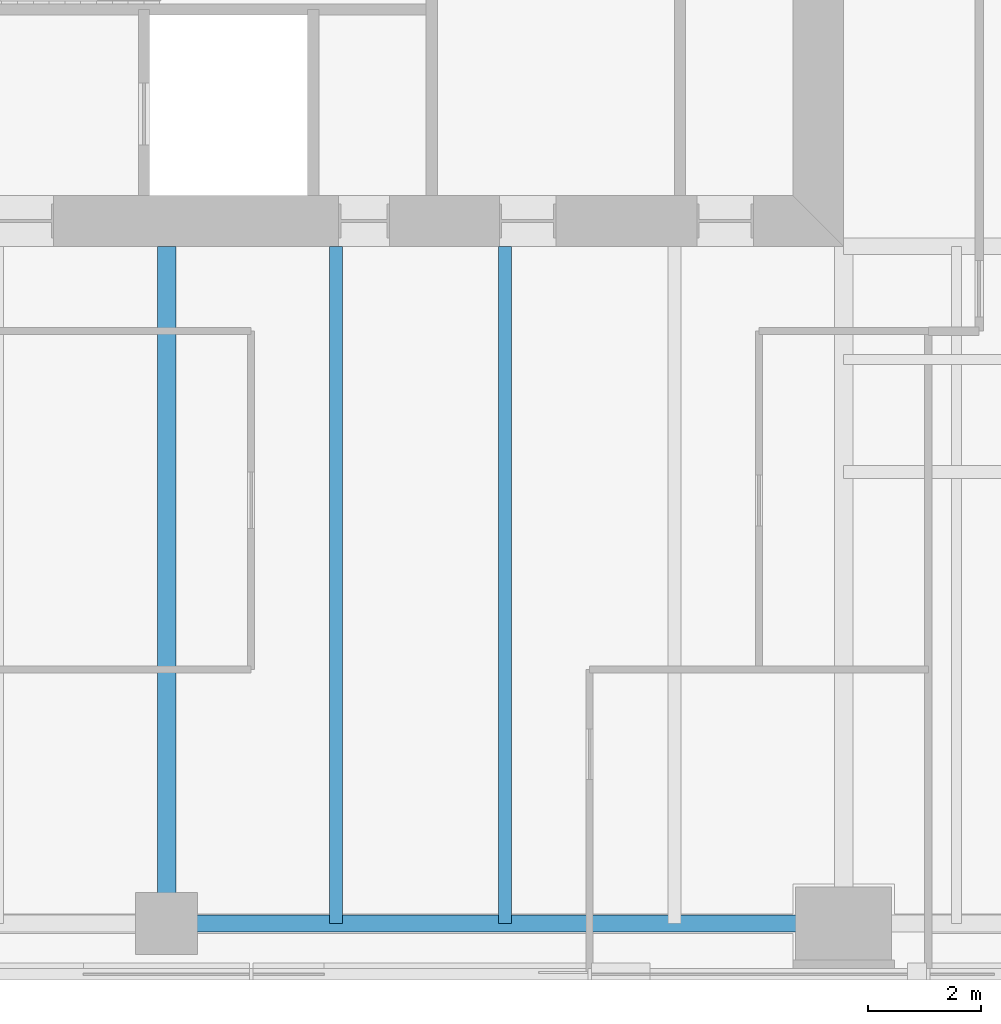
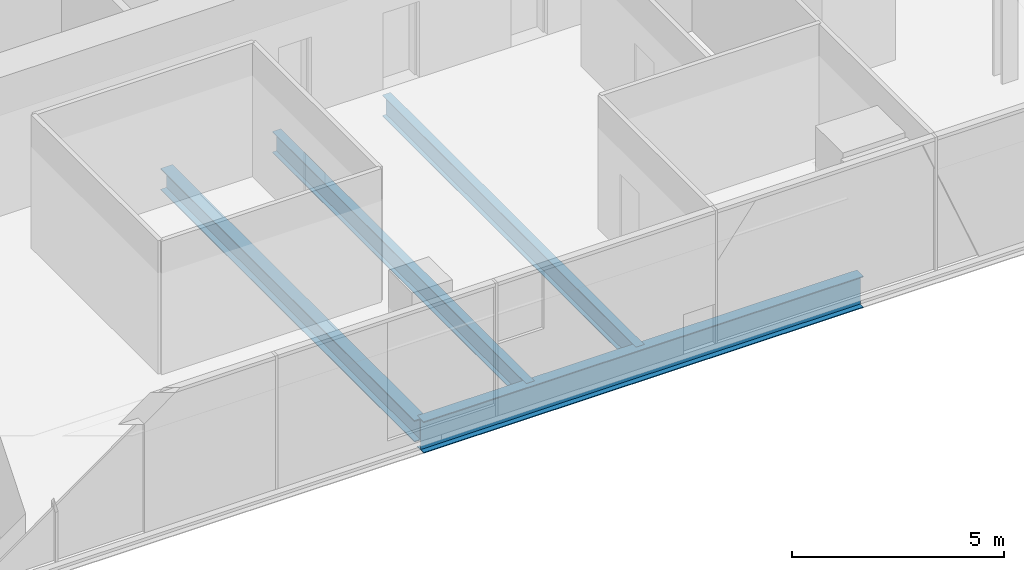
# One storey, part 3 of 14: 4 beams.
"""IFC4 building model written with IfcOpenShell, lengths in metres."""

from ifc_helpers import new_model, si_unit, direction, frame, origin, origin_2d, place, context, subcontext, project, spatial, i_section, extrude, material, material_profile, profile_set, type_object, element, save


model = new_model("IFC4")

# Units and contexts
model_context = context("Model", 3, precision=1e-05, world=origin(), true_north=direction((0.0, 1.0)))
body_context = subcontext(model_context, "Body", "Model", "MODEL_VIEW")
ifc_project = project(units=[si_unit("LENGTHUNIT", "METRE"), si_unit("AREAUNIT", "SQUARE_METRE"), si_unit("VOLUMEUNIT", "CUBIC_METRE"), si_unit("PLANEANGLEUNIT", "RADIAN"), si_unit("MASSUNIT", "GRAM", prefix="KILO")], contexts=[model_context])

# Site, building, storey
site_placement = place(None, origin())
site = spatial("IfcSite", under=ifc_project, at=site_placement, CompositionType="ELEMENT")
building_placement = place(site_placement, origin())
building = spatial("IfcBuilding", under=site, at=building_placement, Name="Fenwick Lantern Interchange", CompositionType="ELEMENT")
storey_placement = place(building_placement, frame((0.0, 0.0, 221.800048828125)))
storey = spatial("IfcBuildingStorey", under=building, at=storey_placement, Name="L52", CompositionType="ELEMENT", Elevation=221.800048828125)

# Beams
ifc_material = material(Name="Steel ASTM A992 Grade 50", Category="steel")
ifc_material_profile_1 = material_profile(ifc_material, i_section(OverallWidth=0.3046875, OverallDepth=0.911865234375, WebThickness=0.015869140625, FlangeThickness=0.02392578125, at=origin_2d()), Name="W36X150")
ifc_profile_set_1 = profile_set([ifc_material_profile_1], Name="Steel ASTM A992 Grade 50")
beam_type_1 = type_object("IfcBeamType", Name="EDGE BEAM W36X150", PredefinedType="SPANDREL", material=ifc_profile_set_1)
beam_1_placement = place(storey_placement, frame((25.0, 1.0, -0.60595703125), z_axis=(1.0, 0.0, 0.0), x_axis=(0.0, 1.0, 0.0)))
element("IfcBeam", 1, at=beam_1_placement, inside=storey, type_object=beam_type_1, Name="L52/FR/S/EB3", PredefinedType="SPANDREL", context=body_context, shape_type="SweptSolid", body=[
    extrude(i_section(OverallWidth=0.3046875, OverallDepth=0.911865234375, WebThickness=0.015869140625, FlangeThickness=0.02392578125, at=origin_2d()), origin(), (0.0, 0.0, 1.0), 12.0),
])
ifc_material_profile_2 = material_profile(ifc_material, i_section(OverallWidth=0.22900390625, OverallDepth=0.612060546875, WebThickness=0.011962890625, FlangeThickness=0.01953125, at=origin_2d()), Name="W24X84")
ifc_profile_set_2 = profile_set([ifc_material_profile_2], Name="Steel ASTM A992 Grade 50")
beam_type_2 = type_object("IfcBeamType", Name="FLOOR BEAM W24X84", PredefinedType="BEAM", material=ifc_profile_set_2)
for number, where, z_axis, x_axis, name in (
    (2, (28.0, 1.0, -0.4560546875), (0.0, 1.0, 0.0), (-1.0, 0.0, 0.0), "L52/FR/S/R06"),
    (3, (31.0, 1.0, -0.4560546875), (0.0, 1.0, 0.0), (-1.0, 0.0, 0.0), "L52/FR/S/R07"),
):
    element("IfcBeam", number, at=place(storey_placement, frame(where, z_axis=z_axis, x_axis=x_axis)), inside=storey, type_object=beam_type_2, Name=name, PredefinedType="BEAM", context=body_context, shape_type="SweptSolid", body=[
        extrude(i_section(OverallWidth=0.22900390625, OverallDepth=0.612060546875, WebThickness=0.011962890625, FlangeThickness=0.01953125, at=origin_2d()), origin(), (0.0, 0.0, 1.0), 12.0),
    ])
ifc_material_profile_3 = material_profile(ifc_material, i_section(OverallWidth=0.32763671875, OverallDepth=0.622314453125, WebThickness=0.015380859375, FlangeThickness=0.0244140625, at=origin_2d()), Name="W24X131")
ifc_profile_set_3 = profile_set([ifc_material_profile_3], Name="Steel ASTM A992 Grade 50")
beam_type_3 = type_object("IfcBeamType", Name="MOMENT-CONNECTED GIRDER W24X131", PredefinedType="BEAM", material=ifc_profile_set_3)
beam_2_placement = place(storey_placement, frame((25.0, 1.0, -0.461181640625), z_axis=(0.0, 1.0, 0.0), x_axis=(-1.0, 0.0, 0.0)))
element("IfcBeam", 4, at=beam_2_placement, inside=storey, type_object=beam_type_3, Name="L52/FR/S/R05", PredefinedType="BEAM", context=body_context, shape_type="SweptSolid", body=[
    extrude(i_section(OverallWidth=0.32763671875, OverallDepth=0.622314453125, WebThickness=0.015380859375, FlangeThickness=0.0244140625, at=origin_2d()), origin(), (0.0, 0.0, 1.0), 12.0),
])

save(model, "model.ifc")
